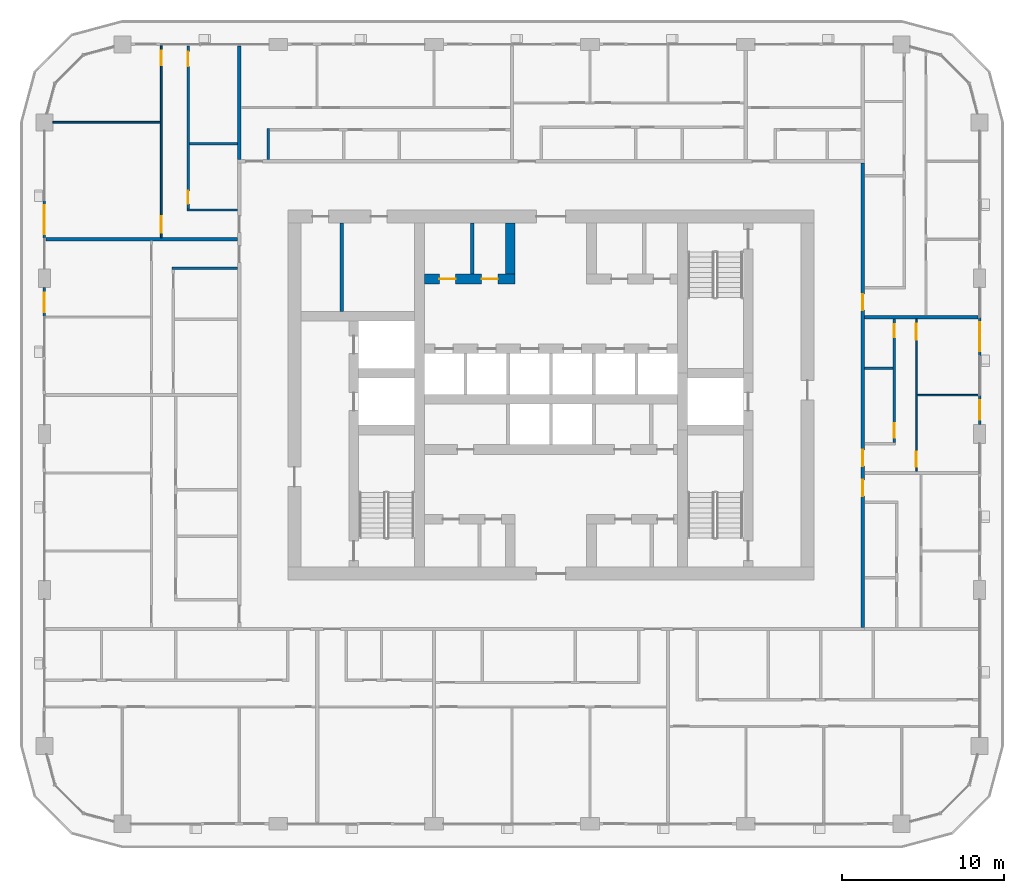
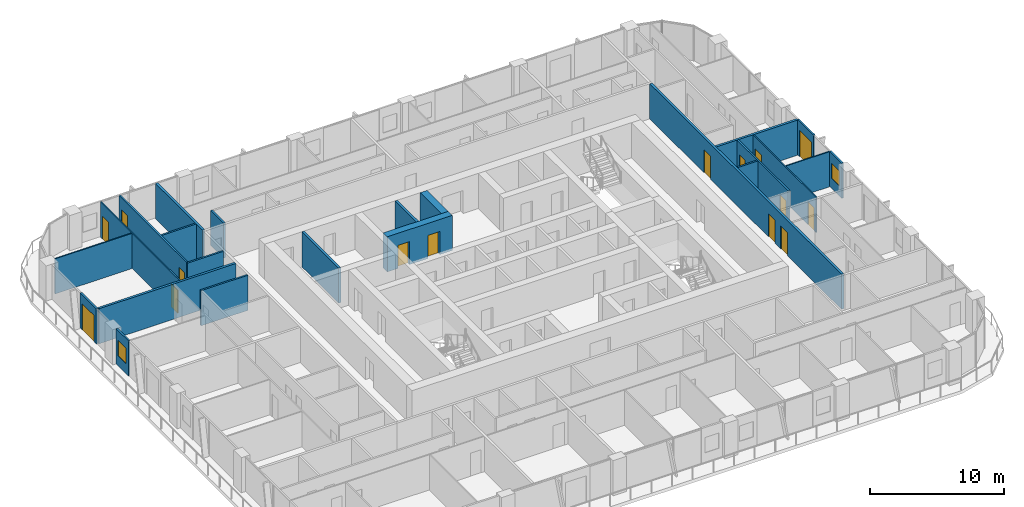
# One storey, part 13 of 22: 23 walls, 15 doors, 2 windows, 17 openings.
"""IFC4 building model written with IfcOpenShell, lengths in metres."""

from ifc_helpers import new_model, si_unit, direction, frame, frame_2d, origin, place, context, subcontext, project, spatial, rectangle, extrude, material, layer, layer_set, type_object, element, fill, save


model = new_model("IFC4")

# Units and contexts
model_context = context("Model", 3, precision=1e-05, world=origin(), true_north=direction((0.0, 1.0)))
body_context = subcontext(model_context, "Body", "Model", "MODEL_VIEW")
ifc_project = project(units=[si_unit("LENGTHUNIT", "METRE"), si_unit("AREAUNIT", "SQUARE_METRE"), si_unit("VOLUMEUNIT", "CUBIC_METRE"), si_unit("PLANEANGLEUNIT", "RADIAN"), si_unit("MASSUNIT", "GRAM", prefix="KILO")], contexts=[model_context])

# Site, building, storey
site_placement = place(None, origin())
site = spatial("IfcSite", under=ifc_project, at=site_placement, CompositionType="ELEMENT")
building_placement = place(site_placement, origin())
building = spatial("IfcBuilding", under=site, at=building_placement, Name="Madar Terraces", CompositionType="ELEMENT")
storey_placement = place(building_placement, frame((0.0, 0.0, 159.5)))
storey = spatial("IfcBuildingStorey", under=building, at=storey_placement, Name="L41", CompositionType="ELEMENT", Elevation=159.5)

# Wall, openings, doors
ifc_material_1 = material(Name="Concrete C70/85", Category="concrete")
ifc_layer_1 = layer(ifc_material_1, 0.60009765625)
ifc_layer_set_1 = layer_set([ifc_layer_1], Name="Concrete C70/85 (CIW3 RC wall 600)")
wall_type_1 = type_object("IfcWallType", Name="CIW3 RC wall 600", PredefinedType="SHEAR", material=ifc_layer_set_1)
wall_1_placement = place(storey_placement, frame((23.39990234375, 33.550048828125, 0.0), z_axis=(0.0, 0.0, 1.0), x_axis=(1.0, 0.0, 0.0)))
wall_1 = element("IfcWall", 1, at=wall_1_placement, inside=storey, type_object=wall_type_1, Name="CORE SHAFT WALL", PredefinedType="SHEAR", context=body_context, shape_type="SweptSolid", body=[
    extrude(rectangle(XDim=5.60009765625, YDim=0.60009765625, at=frame_2d((2.800048828125, 0.0))), origin(), (0.0, 0.0, 1.0), 3.199951171875),
])
opening_1_placement = place(wall_1_placement, frame((0.925048828125, 0.0, 0.0)))
opening_1 = element("IfcOpeningElement", 2, at=opening_1_placement, cuts=wall_1, Name="Opening KD2", PredefinedType="OPENING", context=body_context, shape_type="SweptSolid", body=[
    extrude(rectangle(XDim=1.0, YDim=2.10009765625, at=frame_2d((0.5, 1.050048828125))), frame((0.0, 0.31005859375, 0.0), z_axis=(0.0, -1.0, 0.0), x_axis=(1.0, 0.0, 0.0)), (0.0, 0.0, 1.0), 0.6201171875),
])
opening_2_placement = place(wall_1_placement, frame((3.52490234375, 0.0, 0.0)))
opening_2 = element("IfcOpeningElement", 3, at=opening_2_placement, cuts=wall_1, Name="Opening KD2", PredefinedType="OPENING", context=body_context, shape_type="SweptSolid", body=[
    extrude(rectangle(XDim=1.0, YDim=2.10009765625, at=frame_2d((0.5, 1.050048828125))), frame((0.0, 0.31005859375, 0.0), z_axis=(0.0, -1.0, 0.0), x_axis=(1.0, 0.0, 0.0)), (0.0, 0.0, 1.0), 0.6201171875),
])
ifc_material_2 = material(Name="Steel door leaf", Category="steel")
door_type_1 = type_object("IfcDoorType", Name="Service room door 1000 x 2100", OperationType="NOTDEFINED", PredefinedType="DOOR", material=ifc_material_2)
door_1_placement = place(opening_1_placement, frame((1.0, 0.0, 0.0), z_axis=(0.0, 0.0, 1.0), x_axis=(-1.0, 0.0, 0.0)))
door_1 = element("IfcDoor", 4, at=door_1_placement, inside=storey, type_object=door_type_1, Name="SERVICE ROOM DOOR", OperationType="SINGLE_SWING_LEFT", OverallHeight=2.10009765625, OverallWidth=1.0, PredefinedType="DOOR", context=body_context, shape_type="SweptSolid", body=[
    extrude(rectangle(XDim=1.0, YDim=2.10009765625, at=frame_2d((0.5, 1.050048828125))), frame((0.0, 0.02490234375, 0.0), z_axis=(0.0, -1.0, 0.0), x_axis=(1.0, 0.0, 0.0)), (0.0, 0.0, 1.0), 0.050048828125),
])
fill(opening_1, door_1)
door_2_placement = place(opening_2_placement, frame((1.0, 0.0, 0.0), z_axis=(0.0, 0.0, 1.0), x_axis=(-1.0, 0.0, 0.0)))
door_2 = element("IfcDoor", 5, at=door_2_placement, inside=storey, type_object=door_type_1, Name="SERVICE ROOM DOOR", OperationType="SINGLE_SWING_RIGHT", OverallHeight=2.10009765625, OverallWidth=1.0, PredefinedType="DOOR", context=body_context, shape_type="SweptSolid", body=[
    extrude(rectangle(XDim=1.0, YDim=2.10009765625, at=frame_2d((0.5, 1.050048828125))), frame((0.0, 0.02490234375, 0.0), z_axis=(0.0, -1.0, 0.0), x_axis=(1.0, 0.0, 0.0)), (0.0, 0.0, 1.0), 0.050048828125),
])
fill(opening_2, door_2)

# Walls
wall_2_placement = place(storey_placement, frame((28.699951171875, 33.85009765625, 0.0), z_axis=(0.0, 0.0, 1.0), x_axis=(0.0, 1.0, 0.0)))
element("IfcWall", 6, at=wall_2_placement, inside=storey, type_object=wall_type_1, Name="CORE SHAFT WALL", PredefinedType="SHEAR", context=body_context, shape_type="SweptSolid", body=[
    extrude(rectangle(XDim=3.14990234375, YDim=0.60009765625, at=frame_2d((1.574951171875, 0.0))), origin(), (0.0, 0.0, 1.0), 3.199951171875),
])
ifc_material_3 = material(Name="Masonry blockwork", Category="masonry")
ifc_layer_2 = layer(ifc_material_3, 0.199951171875)
ifc_layer_set_2 = layer_set([ifc_layer_2], Name="Core partition 200 blockwork")
wall_type_2 = type_object("IfcWallType", Name="Core partition 200 blockwork", PredefinedType="PARTITIONING", material=ifc_layer_set_2)
wall_3_placement = place(storey_placement, frame((18.320068359375, 31.550048828125, 0.0), z_axis=(0.0, 0.0, 1.0), x_axis=(0.0, 1.0, 0.0)))
element("IfcWall", 7, at=wall_3_placement, inside=storey, type_object=wall_type_2, Name="SERVICE ROOM PARTITION", PredefinedType="PARTITIONING", context=body_context, shape_type="SweptSolid", body=[
    extrude(rectangle(XDim=5.449951171875, YDim=0.199951171875, at=frame_2d((2.72509765625, 0.0))), origin(), (0.0, 0.0, 1.0), 3.199951171875),
])
wall_4_placement = place(storey_placement, frame((26.35009765625, 33.85009765625, 0.0), z_axis=(0.0, 0.0, 1.0), x_axis=(0.0, 1.0, 0.0)))
element("IfcWall", 8, at=wall_4_placement, inside=storey, type_object=wall_type_2, Name="SERVICE ROOM PARTITION", PredefinedType="PARTITIONING", context=body_context, shape_type="SweptSolid", body=[
    extrude(rectangle(XDim=3.14990234375, YDim=0.199951171875, at=frame_2d((1.574951171875, 0.0))), origin(), (0.0, 0.0, 1.0), 3.199951171875),
])

# Wall, opening, window
ifc_material_4 = material(Name="Aluminium composite panel, black, over insulated backing", Category="aluminium")
ifc_layer_3 = layer(ifc_material_4, 0.14990234375)
ifc_layer_set_3 = layer_set([ifc_layer_3], Name="Facade bay panel 150")
wall_type_3 = type_object("IfcWallType", Name="Facade bay panel 150", PredefinedType="SOLIDWALL", material=ifc_layer_set_3)
wall_5_placement = place(storey_placement, frame((57.60009765625, 24.574951171875, 0.0), z_axis=(0.0, 0.0, 1.0), x_axis=(0.0, 1.0, 0.0)))
wall_5 = element("IfcWall", 9, at=wall_5_placement, inside=storey, type_object=wall_type_3, Name="Facade bay panel", PredefinedType="SOLIDWALL", context=body_context, shape_type="SweptSolid", body=[
    extrude(rectangle(XDim=1.824951171875, YDim=0.14990234375, at=frame_2d((0.91259765625, 0.0))), origin(), (0.0, 0.0, 1.0), 3.199951171875),
])
opening_3_placement = place(wall_5_placement, frame((0.3125, 0.0, 0.89990234375)))
opening_3 = element("IfcOpeningElement", 10, at=opening_3_placement, cuts=wall_5, Name="Opening W1", PredefinedType="OPENING", context=body_context, shape_type="SweptSolid", body=[
    extrude(rectangle(XDim=1.199951171875, YDim=1.39990234375, at=frame_2d((0.60009765625, 0.699951171875))), frame((0.0, 0.0849609375, 0.0), z_axis=(0.0, -1.0, 0.0), x_axis=(1.0, 0.0, 0.0)), (0.0, 0.0, 1.0), 0.169921875),
])
ifc_material_5 = material(Name="Glass, clear, with black aluminium frame", Category="aluminium")
window_type = type_object("IfcWindowType", Name="Vent window 1200 x 1400", PartitioningType="SINGLE_PANEL", PredefinedType="WINDOW", material=ifc_material_5)
window_1_placement = place(opening_3_placement, origin())
window_1 = element("IfcWindow", 11, at=window_1_placement, inside=storey, type_object=window_type, Name="Operable vent window", OverallHeight=1.39990234375, OverallWidth=1.199951171875, PartitioningType="SINGLE_PANEL", PredefinedType="WINDOW", context=body_context, shape_type="SweptSolid", body=[
    extrude(rectangle(XDim=1.199951171875, YDim=1.39990234375, at=frame_2d((0.60009765625, 0.699951171875))), frame((0.0, 0.030029296875, 0.0), z_axis=(0.0, -1.0, 0.0), x_axis=(1.0, 0.0, 0.0)), (0.0, 0.0, 1.0), 0.06005859375),
])
fill(opening_3, window_1)

# Wall, opening, door
wall_6_placement = place(storey_placement, frame((57.60009765625, 28.800048828125, 0.0), z_axis=(0.0, 0.0, 1.0), x_axis=(0.0, 1.0, 0.0)))
wall_6 = element("IfcWall", 12, at=wall_6_placement, inside=storey, type_object=wall_type_3, Name="Facade bay panel", PredefinedType="SOLIDWALL", context=body_context, shape_type="SweptSolid", body=[
    extrude(rectangle(XDim=2.39990234375, YDim=0.14990234375, at=frame_2d((1.199951171875, 0.0))), origin(), (0.0, 0.0, 1.0), 3.199951171875),
])
opening_4_placement = place(wall_6_placement, frame((0.300048828125, 0.0, 0.0)))
opening_4 = element("IfcOpeningElement", 13, at=opening_4_placement, cuts=wall_6, Name="Opening ED1", PredefinedType="OPENING", context=body_context, shape_type="SweptSolid", body=[
    extrude(rectangle(XDim=1.800048828125, YDim=2.39990234375, at=frame_2d((0.89990234375, 1.199951171875))), frame((0.0, 0.0849609375, 0.0), z_axis=(0.0, -1.0, 0.0), x_axis=(1.0, 0.0, 0.0)), (0.0, 0.0, 1.0), 0.169921875),
])
ifc_material_6 = material(Name="Glass, clear, with black aluminium frame", Category="aluminium")
door_type_2 = type_object("IfcDoorType", Name="Balcony and terrace sliding door 1800 x 2400", OperationType="SLIDING_TO_LEFT", PredefinedType="DOOR", material=ifc_material_6)
door_3_placement = place(opening_4_placement, origin())
door_3 = element("IfcDoor", 14, at=door_3_placement, inside=storey, type_object=door_type_2, Name="Balcony door", OperationType="SLIDING_TO_RIGHT", OverallHeight=2.39990234375, OverallWidth=1.800048828125, PredefinedType="DOOR", context=body_context, shape_type="SweptSolid", body=[
    extrude(rectangle(XDim=1.800048828125, YDim=2.39990234375, at=frame_2d((0.89990234375, 1.199951171875))), frame((0.0, 0.02490234375, 0.0), z_axis=(0.0, -1.0, 0.0), x_axis=(1.0, 0.0, 0.0)), (0.0, 0.0, 1.0), 0.050048828125),
])
fill(opening_4, door_3)

wall_7_placement = place(storey_placement, frame((0.0, 38.39990234375, 0.0), z_axis=(0.0, 0.0, 1.0), x_axis=(0.0, -1.0, 0.0)))
wall_7 = element("IfcWall", 15, at=wall_7_placement, inside=storey, type_object=wall_type_3, Name="Facade bay panel", PredefinedType="SOLIDWALL", context=body_context, shape_type="SweptSolid", body=[
    extrude(rectangle(XDim=2.39990234375, YDim=0.14990234375, at=frame_2d((1.199951171875, 0.0))), origin(), (0.0, 0.0, 1.0), 3.199951171875),
])
opening_5_placement = place(wall_7_placement, frame((0.300048828125, 0.0, 0.0)))
opening_5 = element("IfcOpeningElement", 16, at=opening_5_placement, cuts=wall_7, Name="Opening ED1", PredefinedType="OPENING", context=body_context, shape_type="SweptSolid", body=[
    extrude(rectangle(XDim=1.800048828125, YDim=2.39990234375, at=frame_2d((0.89990234375, 1.199951171875))), frame((0.0, 0.0849609375, 0.0), z_axis=(0.0, -1.0, 0.0), x_axis=(1.0, 0.0, 0.0)), (0.0, 0.0, 1.0), 0.169921875),
])
door_4_placement = place(opening_5_placement, origin())
door_4 = element("IfcDoor", 17, at=door_4_placement, inside=storey, type_object=door_type_2, Name="Balcony door", OperationType="SLIDING_TO_LEFT", OverallHeight=2.39990234375, OverallWidth=1.800048828125, PredefinedType="DOOR", context=body_context, shape_type="SweptSolid", body=[
    extrude(rectangle(XDim=1.800048828125, YDim=2.39990234375, at=frame_2d((0.89990234375, 1.199951171875))), frame((0.0, 0.02490234375, 0.0), z_axis=(0.0, -1.0, 0.0), x_axis=(1.0, 0.0, 0.0)), (0.0, 0.0, 1.0), 0.050048828125),
])
fill(opening_5, door_4)

# Wall, opening, window
wall_8_placement = place(storey_placement, frame((0.0, 33.02490234375, 0.0), z_axis=(0.0, 0.0, 1.0), x_axis=(0.0, -1.0, 0.0)))
wall_8 = element("IfcWall", 18, at=wall_8_placement, inside=storey, type_object=wall_type_3, Name="Facade bay panel", PredefinedType="SOLIDWALL", context=body_context, shape_type="SweptSolid", body=[
    extrude(rectangle(XDim=1.824951171875, YDim=0.14990234375, at=frame_2d((0.91259765625, 0.0))), origin(), (0.0, 0.0, 1.0), 3.199951171875),
])
opening_6_placement = place(wall_8_placement, frame((0.3125, 0.0, 0.89990234375)))
opening_6 = element("IfcOpeningElement", 19, at=opening_6_placement, cuts=wall_8, Name="Opening W1", PredefinedType="OPENING", context=body_context, shape_type="SweptSolid", body=[
    extrude(rectangle(XDim=1.199951171875, YDim=1.39990234375, at=frame_2d((0.60009765625, 0.699951171875))), frame((0.0, 0.0849609375, 0.0), z_axis=(0.0, -1.0, 0.0), x_axis=(1.0, 0.0, 0.0)), (0.0, 0.0, 1.0), 0.169921875),
])
window_2_placement = place(opening_6_placement, origin())
window_2 = element("IfcWindow", 20, at=window_2_placement, inside=storey, type_object=window_type, Name="Operable vent window", OverallHeight=1.39990234375, OverallWidth=1.199951171875, PartitioningType="SINGLE_PANEL", PredefinedType="WINDOW", context=body_context, shape_type="SweptSolid", body=[
    extrude(rectangle(XDim=1.199951171875, YDim=1.39990234375, at=frame_2d((0.60009765625, 0.699951171875))), frame((0.0, 0.030029296875, 0.0), z_axis=(0.0, -1.0, 0.0), x_axis=(1.0, 0.0, 0.0)), (0.0, 0.0, 1.0), 0.06005859375),
])
fill(opening_6, window_2)

# Wall
ifc_material_7 = material(Name="Gypsum board on steel studs", Category="steel")
ifc_layer_4 = layer(ifc_material_7, 0.10009765625)
ifc_layer_set_4 = layer_set([ifc_layer_4], Name="Flat partition 100")
wall_type_4 = type_object("IfcWallType", Name="Flat partition 100", PredefinedType="PARTITIONING", material=ifc_layer_set_4)
wall_9_placement = place(storey_placement, frame((53.75, 26.39990234375, 0.0), z_axis=(0.0, 0.0, 1.0), x_axis=(1.0, 0.0, 0.0)))
element("IfcWall", 21, at=wall_9_placement, inside=storey, type_object=wall_type_4, Name="Flat partition 100", PredefinedType="PARTITIONING", context=body_context, shape_type="SweptSolid", body=[
    extrude(rectangle(XDim=3.75, YDim=0.10009765625, at=frame_2d((1.875, 0.0))), origin(), (0.0, 0.0, 1.0), 3.199951171875),
])

# Wall, openings, doors
wall_10_placement = place(storey_placement, frame((53.699951171875, 31.10009765625, 0.0), z_axis=(0.0, 0.0, 1.0), x_axis=(0.0, -1.0, 0.0)))
wall_10 = element("IfcWall", 22, at=wall_10_placement, inside=storey, type_object=wall_type_4, Name="Flat partition 100", PredefinedType="PARTITIONING", context=body_context, shape_type="SweptSolid", body=[
    extrude(rectangle(XDim=9.400146484375, YDim=0.10009765625, at=frame_2d((4.7001953125, 0.0))), origin(), (0.0, 0.0, 1.0), 3.199951171875),
])
opening_7_placement = place(wall_10_placement, frame((8.199951171875, 0.0, 0.0)))
opening_7 = element("IfcOpeningElement", 23, at=opening_7_placement, cuts=wall_10, Name="Opening D2", PredefinedType="OPENING", context=body_context, shape_type="SweptSolid", body=[
    extrude(rectangle(XDim=0.89990234375, YDim=2.10009765625, at=frame_2d((0.449951171875, 1.050048828125))), frame((0.0, 0.06005859375, 0.0), z_axis=(0.0, -1.0, 0.0), x_axis=(1.0, 0.0, 0.0)), (0.0, 0.0, 1.0), 0.1201171875),
])
opening_8_placement = place(wall_10_placement, frame((0.300048828125, 0.0, 0.0)))
opening_8 = element("IfcOpeningElement", 24, at=opening_8_placement, cuts=wall_10, Name="Opening D3", PredefinedType="OPENING", context=body_context, shape_type="SweptSolid", body=[
    extrude(rectangle(XDim=1.0, YDim=2.10009765625, at=frame_2d((0.5, 1.050048828125))), frame((0.0, 0.06005859375, 0.0), z_axis=(0.0, -1.0, 0.0), x_axis=(1.0, 0.0, 0.0)), (0.0, 0.0, 1.0), 0.1201171875),
])
ifc_material_8 = material(Name="Timber door leaf", Category="wood")
door_type_3 = type_object("IfcDoorType", Name="Flat living room door 1000", OperationType="NOTDEFINED", PredefinedType="DOOR", material=ifc_material_8)
door_5_placement = place(opening_8_placement, origin())
door_5 = element("IfcDoor", 25, at=door_5_placement, inside=storey, type_object=door_type_3, Name="Flat living room door 1000", OperationType="SINGLE_SWING_LEFT", OverallHeight=2.10009765625, OverallWidth=1.0, PredefinedType="DOOR", context=body_context, shape_type="SweptSolid", body=[
    extrude(rectangle(XDim=1.0, YDim=2.10009765625, at=frame_2d((0.5, 1.050048828125))), frame((0.0, 0.02490234375, 0.0), z_axis=(0.0, -1.0, 0.0), x_axis=(1.0, 0.0, 0.0)), (0.0, 0.0, 1.0), 0.050048828125),
])
fill(opening_8, door_5)
ifc_material_9 = material(Name="Timber door leaf", Category="wood")
door_type_4 = type_object("IfcDoorType", Name="Flat room door 900", OperationType="NOTDEFINED", PredefinedType="DOOR", material=ifc_material_9)
door_6_placement = place(opening_7_placement, origin())
door_6 = element("IfcDoor", 26, at=door_6_placement, inside=storey, type_object=door_type_4, Name="Flat room door 900", OperationType="SINGLE_SWING_RIGHT", OverallHeight=2.10009765625, OverallWidth=0.89990234375, PredefinedType="DOOR", context=body_context, shape_type="SweptSolid", body=[
    extrude(rectangle(XDim=0.89990234375, YDim=2.10009765625, at=frame_2d((0.449951171875, 1.050048828125))), frame((0.0, 0.02490234375, 0.0), z_axis=(0.0, -1.0, 0.0), x_axis=(1.0, 0.0, 0.0)), (0.0, 0.0, 1.0), 0.050048828125),
])
fill(opening_7, door_6)

# Wall
wall_11_placement = place(storey_placement, frame((7.14990234375, 43.199951171875, 0.0), z_axis=(0.0, 0.0, 1.0), x_axis=(-1.0, 0.0, 0.0)))
element("IfcWall", 27, at=wall_11_placement, inside=storey, type_object=wall_type_4, Name="Flat partition 100", PredefinedType="PARTITIONING", context=body_context, shape_type="SweptSolid", body=[
    extrude(rectangle(XDim=6.625, YDim=0.10009765625, at=frame_2d((3.3125, 0.0))), origin(), (0.0, 0.0, 1.0), 3.199951171875),
])

# Wall, openings, doors
wall_12_placement = place(storey_placement, frame((7.199951171875, 36.10009765625, 0.0), z_axis=(0.0, 0.0, 1.0), x_axis=(0.0, 1.0, 0.0)))
wall_12 = element("IfcWall", 28, at=wall_12_placement, inside=storey, type_object=wall_type_4, Name="Flat partition 100", PredefinedType="PARTITIONING", context=body_context, shape_type="SweptSolid", body=[
    extrude(rectangle(XDim=11.7998046875, YDim=0.10009765625, at=frame_2d((5.89990234375, 0.0))), origin(), (0.0, 0.0, 1.0), 3.199951171875),
])
opening_9_placement = place(wall_12_placement, frame((0.300048828125, 0.0, 0.0)))
opening_9 = element("IfcOpeningElement", 29, at=opening_9_placement, cuts=wall_12, Name="Opening D3", PredefinedType="OPENING", context=body_context, shape_type="SweptSolid", body=[
    extrude(rectangle(XDim=1.0, YDim=2.10009765625, at=frame_2d((0.5, 1.050048828125))), frame((0.0, 0.06005859375, 0.0), z_axis=(0.0, -1.0, 0.0), x_axis=(1.0, 0.0, 0.0)), (0.0, 0.0, 1.0), 0.1201171875),
])
opening_10_placement = place(wall_12_placement, frame((10.60009765625, 0.0, 0.0)))
opening_10 = element("IfcOpeningElement", 30, at=opening_10_placement, cuts=wall_12, Name="Opening D2", PredefinedType="OPENING", context=body_context, shape_type="SweptSolid", body=[
    extrude(rectangle(XDim=0.89990234375, YDim=2.10009765625, at=frame_2d((0.449951171875, 1.050048828125))), frame((0.0, 0.06005859375, 0.0), z_axis=(0.0, -1.0, 0.0), x_axis=(1.0, 0.0, 0.0)), (0.0, 0.0, 1.0), 0.1201171875),
])
door_7_placement = place(opening_9_placement, origin())
door_7 = element("IfcDoor", 31, at=door_7_placement, inside=storey, type_object=door_type_3, Name="Flat living room door 1000", OperationType="SINGLE_SWING_LEFT", OverallHeight=2.10009765625, OverallWidth=1.0, PredefinedType="DOOR", context=body_context, shape_type="SweptSolid", body=[
    extrude(rectangle(XDim=1.0, YDim=2.10009765625, at=frame_2d((0.5, 1.050048828125))), frame((0.0, 0.02490234375, 0.0), z_axis=(0.0, -1.0, 0.0), x_axis=(1.0, 0.0, 0.0)), (0.0, 0.0, 1.0), 0.050048828125),
])
fill(opening_9, door_7)
door_8_placement = place(opening_10_placement, origin())
door_8 = element("IfcDoor", 32, at=door_8_placement, inside=storey, type_object=door_type_4, Name="Flat room door 900", OperationType="SINGLE_SWING_RIGHT", OverallHeight=2.10009765625, OverallWidth=0.89990234375, PredefinedType="DOOR", context=body_context, shape_type="SweptSolid", body=[
    extrude(rectangle(XDim=0.89990234375, YDim=2.10009765625, at=frame_2d((0.449951171875, 1.050048828125))), frame((0.0, 0.02490234375, 0.0), z_axis=(0.0, -1.0, 0.0), x_axis=(1.0, 0.0, 0.0)), (0.0, 0.0, 1.0), 0.050048828125),
])
fill(opening_10, door_8)

ifc_material_10 = material(Name="Lightweight blockwork", Category="masonry")
ifc_layer_5 = layer(ifc_material_10, 0.199951171875)
ifc_layer_set_5 = layer_set([ifc_layer_5], Name="Flat party and entrance wall 200")
wall_type_5 = type_object("IfcWallType", Name="Flat party and entrance wall 200", PredefinedType="PARTITIONING", material=ifc_layer_set_5)
wall_13_placement = place(storey_placement, frame((50.39990234375, 40.699951171875, 0.0), z_axis=(0.0, 0.0, 1.0), x_axis=(0.0, -1.0, 0.0)))
wall_13 = element("IfcWall", 33, at=wall_13_placement, inside=storey, type_object=wall_type_5, Name="Flat party and entrance wall 200", PredefinedType="PARTITIONING", context=body_context, shape_type="SweptSolid", body=[
    extrude(rectangle(XDim=28.599853515625, YDim=0.199951171875, at=frame_2d((14.2998046875, 0.0))), origin(), (0.0, 0.0, 1.0), 3.199951171875),
])
opening_11_placement = place(wall_13_placement, frame((19.52490234375, 0.0, 0.0)))
opening_11 = element("IfcOpeningElement", 34, at=opening_11_placement, cuts=wall_13, Name="Opening D1", PredefinedType="OPENING", context=body_context, shape_type="SweptSolid", body=[
    extrude(rectangle(XDim=1.0, YDim=2.10009765625, at=frame_2d((0.5, 1.050048828125))), frame((0.0, 0.10986328125, 0.0), z_axis=(0.0, -1.0, 0.0), x_axis=(1.0, 0.0, 0.0)), (0.0, 0.0, 1.0), 0.219970703125),
])
opening_12_placement = place(wall_13_placement, frame((17.675048828125, 0.0, 0.0)))
opening_12 = element("IfcOpeningElement", 35, at=opening_12_placement, cuts=wall_13, Name="Opening D1", PredefinedType="OPENING", context=body_context, shape_type="SweptSolid", body=[
    extrude(rectangle(XDim=1.0, YDim=2.10009765625, at=frame_2d((0.5, 1.050048828125))), frame((0.0, 0.10986328125, 0.0), z_axis=(0.0, -1.0, 0.0), x_axis=(1.0, 0.0, 0.0)), (0.0, 0.0, 1.0), 0.219970703125),
])
opening_13_placement = place(wall_13_placement, frame((8.074951171875, 0.0, 0.0)))
opening_13 = element("IfcOpeningElement", 36, at=opening_13_placement, cuts=wall_13, Name="Opening D1", PredefinedType="OPENING", context=body_context, shape_type="SweptSolid", body=[
    extrude(rectangle(XDim=1.0, YDim=2.10009765625, at=frame_2d((0.5, 1.050048828125))), frame((0.0, 0.10986328125, 0.0), z_axis=(0.0, -1.0, 0.0), x_axis=(1.0, 0.0, 0.0)), (0.0, 0.0, 1.0), 0.219970703125),
])
ifc_material_11 = material(Name="Timber fire door leaf", Category="wood")
door_type_5 = type_object("IfcDoorType", Name="Flat entrance door 1000 FD30S", OperationType="NOTDEFINED", PredefinedType="DOOR", material=ifc_material_11)
door_9_placement = place(opening_11_placement, origin())
door_9 = element("IfcDoor", 37, at=door_9_placement, inside=storey, type_object=door_type_5, Name="Flat entrance door 1000 FD30S", OperationType="SINGLE_SWING_LEFT", OverallHeight=2.10009765625, OverallWidth=1.0, PredefinedType="DOOR", context=body_context, shape_type="SweptSolid", body=[
    extrude(rectangle(XDim=1.0, YDim=2.10009765625, at=frame_2d((0.5, 1.050048828125))), frame((0.0, 0.02490234375, 0.0), z_axis=(0.0, -1.0, 0.0), x_axis=(1.0, 0.0, 0.0)), (0.0, 0.0, 1.0), 0.050048828125),
])
fill(opening_11, door_9)
door_10_placement = place(opening_12_placement, origin())
door_10 = element("IfcDoor", 38, at=door_10_placement, inside=storey, type_object=door_type_5, Name="Flat entrance door 1000 FD30S", OperationType="SINGLE_SWING_RIGHT", OverallHeight=2.10009765625, OverallWidth=1.0, PredefinedType="DOOR", context=body_context, shape_type="SweptSolid", body=[
    extrude(rectangle(XDim=1.0, YDim=2.10009765625, at=frame_2d((0.5, 1.050048828125))), frame((0.0, 0.02490234375, 0.0), z_axis=(0.0, -1.0, 0.0), x_axis=(1.0, 0.0, 0.0)), (0.0, 0.0, 1.0), 0.050048828125),
])
fill(opening_12, door_10)
door_11_placement = place(opening_13_placement, origin())
door_11 = element("IfcDoor", 39, at=door_11_placement, inside=storey, type_object=door_type_5, Name="Flat entrance door 1000 FD30S", OperationType="SINGLE_SWING_RIGHT", OverallHeight=2.10009765625, OverallWidth=1.0, PredefinedType="DOOR", context=body_context, shape_type="SweptSolid", body=[
    extrude(rectangle(XDim=1.0, YDim=2.10009765625, at=frame_2d((0.5, 1.050048828125))), frame((0.0, 0.02490234375, 0.0), z_axis=(0.0, -1.0, 0.0), x_axis=(1.0, 0.0, 0.0)), (0.0, 0.0, 1.0), 0.050048828125),
])
fill(opening_13, door_11)

# Walls
for number, where, z_axis, x_axis, name in (
    (40, (50.5, 31.199951171875, 0.0), (0.0, 0.0, 1.0), (1.0, 0.0, 0.0), "Flat party and entrance wall 200"),
    (41, (12.0, 47.89990234375, 0.0), (0.0, 0.0, 1.0), (0.0, -1.0, 0.0), "Flat party and entrance wall 200"),
):
    element("IfcWall", number, at=place(storey_placement, frame(where, z_axis=z_axis, x_axis=x_axis)), inside=storey, type_object=wall_type_5, Name=name, PredefinedType="PARTITIONING", context=body_context, shape_type="SweptSolid", body=[
        extrude(rectangle(XDim=7.0, YDim=0.199951171875, at=frame_2d((3.5, 0.0))), origin(), (0.0, 0.0, 1.0), 3.199951171875),
    ])
wall_14_placement = place(storey_placement, frame((0.10009765625, 36.0, 0.0), z_axis=(0.0, 0.0, 1.0), x_axis=(1.0, 0.0, 0.0)))
element("IfcWall", 42, at=wall_14_placement, inside=storey, type_object=wall_type_5, Name="Flat party and entrance wall 200", PredefinedType="PARTITIONING", context=body_context, shape_type="SweptSolid", body=[
    extrude(rectangle(XDim=11.7998046875, YDim=0.199951171875, at=frame_2d((5.89990234375, 0.0))), origin(), (0.0, 0.0, 1.0), 3.199951171875),
])
ifc_material_12 = material(Name="Lightweight blockwork", Category="masonry")
ifc_layer_6 = layer(ifc_material_12, 0.14990234375)
ifc_layer_set_6 = layer_set([ifc_layer_6], Name="Flat wet-room partition 150")
wall_type_6 = type_object("IfcWallType", Name="Flat wet-room partition 150", PredefinedType="PARTITIONING", material=ifc_layer_set_6)
wall_15_placement = place(storey_placement, frame((50.5, 28.050048828125, 0.0), z_axis=(0.0, 0.0, 1.0), x_axis=(1.0, 0.0, 0.0)))
element("IfcWall", 43, at=wall_15_placement, inside=storey, type_object=wall_type_6, Name="Flat wet-room partition 150", PredefinedType="PARTITIONING", context=body_context, shape_type="SweptSolid", body=[
    extrude(rectangle(XDim=1.77490234375, YDim=0.14990234375, at=frame_2d((0.887451171875, 0.0))), origin(), (0.0, 0.0, 1.0), 3.199951171875),
])

# Wall, openings, doors
wall_16_placement = place(storey_placement, frame((52.35009765625, 23.47509765625, 0.0), z_axis=(0.0, 0.0, 1.0), x_axis=(0.0, 1.0, 0.0)))
wall_16 = element("IfcWall", 44, at=wall_16_placement, inside=storey, type_object=wall_type_6, Name="Flat wet-room partition 150", PredefinedType="PARTITIONING", context=body_context, shape_type="SweptSolid", body=[
    extrude(rectangle(XDim=7.625, YDim=0.14990234375, at=frame_2d((3.8125, 0.0))), origin(), (0.0, 0.0, 1.0), 3.199951171875),
])
opening_14_placement = place(wall_16_placement, frame((0.300048828125, 0.0, 0.0)))
opening_14 = element("IfcOpeningElement", 45, at=opening_14_placement, cuts=wall_16, Name="Opening D2", PredefinedType="OPENING", context=body_context, shape_type="SweptSolid", body=[
    extrude(rectangle(XDim=0.89990234375, YDim=2.10009765625, at=frame_2d((0.449951171875, 1.050048828125))), frame((0.0, 0.0849609375, 0.0), z_axis=(0.0, -1.0, 0.0), x_axis=(1.0, 0.0, 0.0)), (0.0, 0.0, 1.0), 0.169921875),
])
opening_15_placement = place(wall_16_placement, frame((6.47509765625, 0.0, 0.0)))
opening_15 = element("IfcOpeningElement", 46, at=opening_15_placement, cuts=wall_16, Name="Opening D4", PredefinedType="OPENING", context=body_context, shape_type="SweptSolid", body=[
    extrude(rectangle(XDim=0.800048828125, YDim=2.10009765625, at=frame_2d((0.39990234375, 1.050048828125))), frame((0.0, 0.0849609375, 0.0), z_axis=(0.0, -1.0, 0.0), x_axis=(1.0, 0.0, 0.0)), (0.0, 0.0, 1.0), 0.169921875),
])
ifc_material_13 = material(Name="Timber door leaf", Category="wood")
door_type_6 = type_object("IfcDoorType", Name="Flat bathroom door 800", OperationType="NOTDEFINED", PredefinedType="DOOR", material=ifc_material_13)
door_12_placement = place(opening_15_placement, origin())
door_12 = element("IfcDoor", 47, at=door_12_placement, inside=storey, type_object=door_type_6, Name="Flat bathroom door 800", OperationType="SINGLE_SWING_RIGHT", OverallHeight=2.10009765625, OverallWidth=0.800048828125, PredefinedType="DOOR", context=body_context, shape_type="SweptSolid", body=[
    extrude(rectangle(XDim=0.800048828125, YDim=2.10009765625, at=frame_2d((0.39990234375, 1.050048828125))), frame((0.0, 0.02490234375, 0.0), z_axis=(0.0, -1.0, 0.0), x_axis=(1.0, 0.0, 0.0)), (0.0, 0.0, 1.0), 0.050048828125),
])
fill(opening_15, door_12)
door_13_placement = place(opening_14_placement, origin())
door_13 = element("IfcDoor", 48, at=door_13_placement, inside=storey, type_object=door_type_4, Name="Flat room door 900", OperationType="SINGLE_SWING_LEFT", OverallHeight=2.10009765625, OverallWidth=0.89990234375, PredefinedType="DOOR", context=body_context, shape_type="SweptSolid", body=[
    extrude(rectangle(XDim=0.89990234375, YDim=2.10009765625, at=frame_2d((0.449951171875, 1.050048828125))), frame((0.0, 0.02490234375, 0.0), z_axis=(0.0, -1.0, 0.0), x_axis=(1.0, 0.0, 0.0)), (0.0, 0.0, 1.0), 0.050048828125),
])
fill(opening_14, door_13)

# Walls
wall_17_placement = place(storey_placement, frame((13.800048828125, 40.89990234375, 0.0), z_axis=(0.0, 0.0, 1.0), x_axis=(0.0, 1.0, 0.0)))
element("IfcWall", 49, at=wall_17_placement, inside=storey, type_object=wall_type_6, Name="Flat wet-room partition 150", PredefinedType="PARTITIONING", context=body_context, shape_type="SweptSolid", body=[
    extrude(rectangle(XDim=1.925048828125, YDim=0.14990234375, at=frame_2d((0.96240234375, 0.0))), origin(), (0.0, 0.0, 1.0), 3.199951171875),
])
wall_18_placement = place(storey_placement, frame((11.89990234375, 41.885009765625, 0.0), z_axis=(0.0, 0.0, 1.0), x_axis=(-1.0, 0.0, 0.0)))
element("IfcWall", 50, at=wall_18_placement, inside=storey, type_object=wall_type_6, Name="Flat wet-room partition 150", PredefinedType="PARTITIONING", context=body_context, shape_type="SweptSolid", body=[
    extrude(rectangle(XDim=2.974853515625, YDim=0.14990234375, at=frame_2d((1.4873046875, 0.0))), origin(), (0.0, 0.0, 1.0), 3.199951171875),
])
wall_19_placement = place(storey_placement, frame((11.89990234375, 37.800048828125, 0.0), z_axis=(0.0, 0.0, 1.0), x_axis=(-1.0, 0.0, 0.0)))
element("IfcWall", 51, at=wall_19_placement, inside=storey, type_object=wall_type_6, Name="Flat wet-room partition 150", PredefinedType="PARTITIONING", context=body_context, shape_type="SweptSolid", body=[
    extrude(rectangle(XDim=3.125, YDim=0.14990234375, at=frame_2d((1.5625, 0.0))), origin(), (0.0, 0.0, 1.0), 3.199951171875),
])

# Wall, openings, doors
wall_20_placement = place(storey_placement, frame((8.85009765625, 47.89990234375, 0.0), z_axis=(0.0, 0.0, 1.0), x_axis=(0.0, -1.0, 0.0)))
wall_20 = element("IfcWall", 52, at=wall_20_placement, inside=storey, type_object=wall_type_6, Name="Flat wet-room partition 150", PredefinedType="PARTITIONING", context=body_context, shape_type="SweptSolid", body=[
    extrude(rectangle(XDim=10.02490234375, YDim=0.14990234375, at=frame_2d((5.012451171875, 0.0))), origin(), (0.0, 0.0, 1.0), 3.199951171875),
])
opening_16_placement = place(wall_20_placement, frame((8.925048828125, 0.0, 0.0)))
opening_16 = element("IfcOpeningElement", 53, at=opening_16_placement, cuts=wall_20, Name="Opening D4", PredefinedType="OPENING", context=body_context, shape_type="SweptSolid", body=[
    extrude(rectangle(XDim=0.800048828125, YDim=2.10009765625, at=frame_2d((0.39990234375, 1.050048828125))), frame((0.0, 0.0849609375, 0.0), z_axis=(0.0, -1.0, 0.0), x_axis=(1.0, 0.0, 0.0)), (0.0, 0.0, 1.0), 0.169921875),
])
opening_17_placement = place(wall_20_placement, frame((0.35009765625, 0.0, 0.0)))
opening_17 = element("IfcOpeningElement", 54, at=opening_17_placement, cuts=wall_20, Name="Opening D2", PredefinedType="OPENING", context=body_context, shape_type="SweptSolid", body=[
    extrude(rectangle(XDim=0.89990234375, YDim=2.10009765625, at=frame_2d((0.449951171875, 1.050048828125))), frame((0.0, 0.0849609375, 0.0), z_axis=(0.0, -1.0, 0.0), x_axis=(1.0, 0.0, 0.0)), (0.0, 0.0, 1.0), 0.169921875),
])
door_14_placement = place(opening_16_placement, origin())
door_14 = element("IfcDoor", 55, at=door_14_placement, inside=storey, type_object=door_type_6, Name="Flat bathroom door 800", OperationType="SINGLE_SWING_RIGHT", OverallHeight=2.10009765625, OverallWidth=0.800048828125, PredefinedType="DOOR", context=body_context, shape_type="SweptSolid", body=[
    extrude(rectangle(XDim=0.800048828125, YDim=2.10009765625, at=frame_2d((0.39990234375, 1.050048828125))), frame((0.0, 0.02490234375, 0.0), z_axis=(0.0, -1.0, 0.0), x_axis=(1.0, 0.0, 0.0)), (0.0, 0.0, 1.0), 0.050048828125),
])
fill(opening_16, door_14)
door_15_placement = place(opening_17_placement, origin())
door_15 = element("IfcDoor", 56, at=door_15_placement, inside=storey, type_object=door_type_4, Name="Flat room door 900", OperationType="SINGLE_SWING_LEFT", OverallHeight=2.10009765625, OverallWidth=0.89990234375, PredefinedType="DOOR", context=body_context, shape_type="SweptSolid", body=[
    extrude(rectangle(XDim=0.89990234375, YDim=2.10009765625, at=frame_2d((0.449951171875, 1.050048828125))), frame((0.0, 0.02490234375, 0.0), z_axis=(0.0, -1.0, 0.0), x_axis=(1.0, 0.0, 0.0)), (0.0, 0.0, 1.0), 0.050048828125),
])
fill(opening_17, door_15)

# Wall
wall_21_placement = place(storey_placement, frame((11.89990234375, 34.199951171875, 0.0), z_axis=(0.0, 0.0, 1.0), x_axis=(-1.0, 0.0, 0.0)))
element("IfcWall", 57, at=wall_21_placement, inside=storey, type_object=wall_type_6, Name="Flat wet-room partition 150", PredefinedType="PARTITIONING", context=body_context, shape_type="SweptSolid", body=[
    extrude(rectangle(XDim=4.02490234375, YDim=0.14990234375, at=frame_2d((2.012451171875, 0.0))), origin(), (0.0, 0.0, 1.0), 3.199951171875),
])

save(model, "model.ifc")
